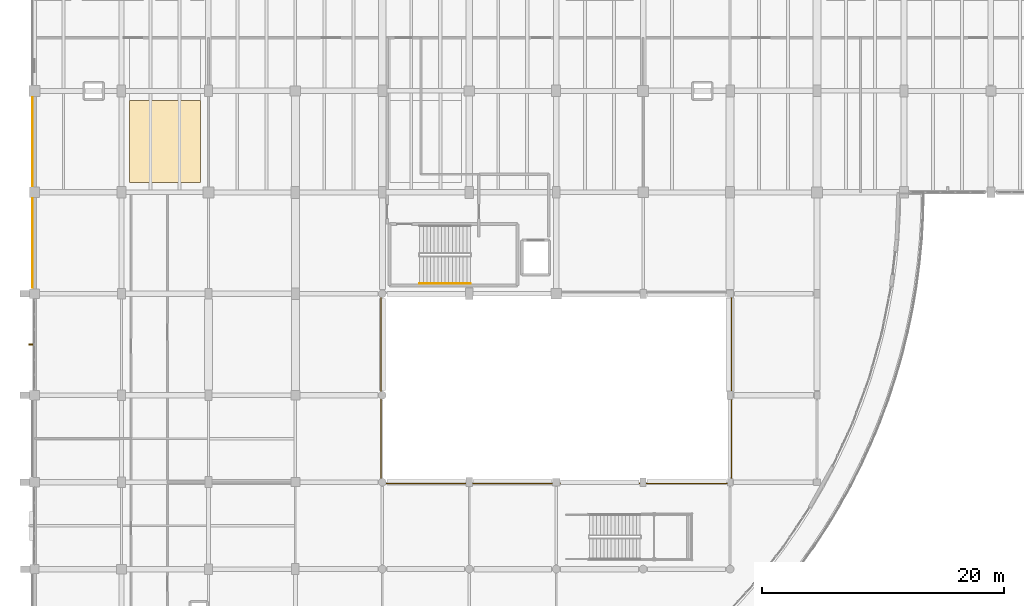
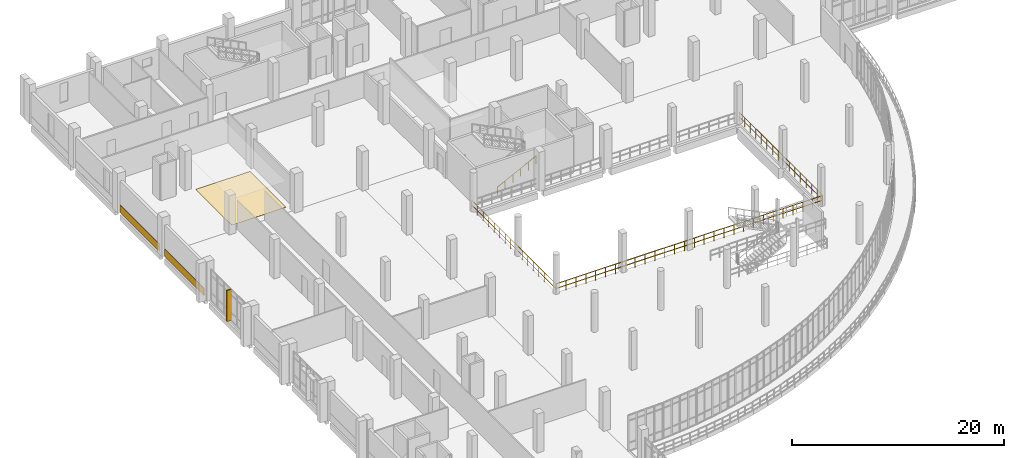
# One storey, part 128 of 134: 4 railings, 3 coverings, 1 shading device.
"""IFC4 building model written with IfcOpenShell, lengths in metres."""

from ifc_helpers import new_model, si_unit, direction, frame, origin, origin_2d, place, context, subcontext, project, spatial, polyline, rectangle, circle, outline, extrude, material, layer, layer_set, type_object, element, save


model = new_model("IFC4")

# Units and contexts
model_context = context("Model", 3, precision=1e-05, world=origin(), true_north=direction((0.0, 1.0)))
body_context = subcontext(model_context, "Body", "Model", "MODEL_VIEW")
ifc_project = project(units=[si_unit("LENGTHUNIT", "METRE"), si_unit("AREAUNIT", "SQUARE_METRE"), si_unit("VOLUMEUNIT", "CUBIC_METRE"), si_unit("PLANEANGLEUNIT", "RADIAN"), si_unit("MASSUNIT", "GRAM", prefix="KILO")], contexts=[model_context])

# Site, building, storey
site_placement = place(None, origin())
site = spatial("IfcSite", under=ifc_project, at=site_placement, CompositionType="ELEMENT")
building_placement = place(site_placement, origin())
building = spatial("IfcBuilding", under=site, at=building_placement, Name="Kalluvel Institute of Natural Sciences", CompositionType="ELEMENT")
storey_placement = place(building_placement, frame((0.0, 0.0, 5.39990234375)))
storey = spatial("IfcBuildingStorey", under=building, at=storey_placement, Name="L01", CompositionType="ELEMENT", Elevation=5.39990234375)

# Coverings
ifc_material_1 = material(Name="Sadarahalli Grey Granite Ashlar Concrete M40", Category="masonry")
ifc_layer_1 = layer(ifc_material_1, 0.044921875)
ifc_layer_set_1 = layer_set([ifc_layer_1], Name="Sadarahalli Grey Granite Ashlar Concrete M40")
covering_type_1 = type_object("IfcCoveringType", Name="COV-CLAD-STONE", PredefinedType="CLADDING", material=ifc_layer_set_1)
covering_1_placement = place(storey_placement, frame((13.820068359375, 106.987548828125, 0.025146484375), z_axis=(0.0, 0.0, 1.0), x_axis=(0.0, 1.0, 0.0)))
element("IfcCovering", 1, at=covering_1_placement, inside=storey, type_object=covering_type_1, Name="L01 Sadarahalli granite plinth spandrel cladding 22", PredefinedType="CLADDING", context=body_context, shape_type="SweptSolid", body=[
    extrude(rectangle(XDim=7.364990234375, YDim=0.044921875, at=origin_2d()), origin(), (0.0, 0.0, 1.0), 0.85009765625),
])
covering_2_placement = place(storey_placement, frame((13.830078125, 98.58740234375, 0.025146484375), z_axis=(0.0, 0.0, 1.0), x_axis=(0.0, 1.0, 0.0)))
element("IfcCovering", 2, at=covering_2_placement, inside=storey, type_object=covering_type_1, Name="L01 Sadarahalli granite plinth spandrel cladding 145", PredefinedType="CLADDING", context=body_context, shape_type="SweptSolid", body=[
    extrude(rectangle(XDim=7.4150390625, YDim=0.044921875, at=origin_2d()), origin(), (0.0, 0.0, 1.0), 0.85009765625),
])
ifc_material_2 = material(Name="Seamless Chemical-Resistant Epoxy Flooring", Category="resin")
ifc_layer_2 = layer(ifc_material_2, 0.014892578125)
ifc_layer_set_2 = layer_set([ifc_layer_2], Name="Seamless Chemical-Resistant Epoxy Flooring")
covering_type_2 = type_object("IfcCoveringType", Name="COV-FLR-EPOXY", PredefinedType="FLOORING", material=ifc_layer_set_2)
covering_3_placement = place(storey_placement, origin())
element("IfcCovering", 3, at=covering_3_placement, inside=storey, type_object=covering_type_2, Name="L01 seamless epoxy laboratory floor finish 3", PredefinedType="FLOORING", context=body_context, shape_type="SweptSolid", body=[
    extrude(outline(polyline([(21.85009765625, 103.60009765625), (27.75, 103.60009765625), (27.75, 110.39990234375), (21.85009765625, 110.39990234375), (21.85009765625, 103.60009765625)])), origin(), (0.0, 0.0, 1.0), 0.01513671875),
])

# Railings
ifc_material_3 = material(Name="Galvanized Fire-Rated Steel", Category="steel")
railing_type_1 = type_object("IfcRailingType", Name="RL-GD-ATRIUM", PredefinedType="BALUSTRADE", material=ifc_material_3)
railing_1_placement = place(storey_placement, frame((42.719970703125, 78.679931640625, 0.0)))
element("IfcRailing", 4, at=railing_1_placement, inside=storey, type_object=railing_type_1, Name="L01 Interaction Atrium void safety balustrade S", PredefinedType="BALUSTRADE", context=body_context, shape_type="SweptSolid", body=[
    extrude(circle(Radius=0.02392578125, at=origin_2d()), frame((0.0, 0.0, 1.09619140625), z_axis=(1.0, 0.0, 0.0), x_axis=(0.0, 1.0, 0.0)), (0.0, 0.0, 1.0), 28.9599609375),
    extrude(circle(Radius=0.02392578125, at=origin_2d()), frame((0.0, 0.0, 0.56005859375), z_axis=(1.0, 0.0, 0.0), x_axis=(0.0, 1.0, 0.0)), (0.0, 0.0, 1.0), 28.9599609375),
    extrude(circle(Radius=0.02099609375, at=origin_2d()), origin(), (0.0, 0.0, 1.0), 1.072021484375),
    extrude(circle(Radius=0.02099609375, at=origin_2d()), frame((1.072509765625, 0.0, 0.0)), (0.0, 0.0, 1.0), 1.072021484375),
    extrude(circle(Radius=0.02099609375, at=origin_2d()), frame((2.145263671875, 0.0, 0.0)), (0.0, 0.0, 1.0), 1.072021484375),
    extrude(circle(Radius=0.02099609375, at=origin_2d()), frame((3.2177734375, 0.0, 0.0)), (0.0, 0.0, 1.0), 1.072021484375),
    extrude(circle(Radius=0.02099609375, at=origin_2d()), frame((4.290283203125, 0.0, 0.0)), (0.0, 0.0, 1.0), 1.072021484375),
    extrude(circle(Radius=0.02099609375, at=origin_2d()), frame((5.363037109375, 0.0, 0.0)), (0.0, 0.0, 1.0), 1.072021484375),
    extrude(circle(Radius=0.02099609375, at=origin_2d()), frame((6.435546875, 0.0, 0.0)), (0.0, 0.0, 1.0), 1.072021484375),
    extrude(circle(Radius=0.02099609375, at=origin_2d()), frame((7.508056640625, 0.0, 0.0)), (0.0, 0.0, 1.0), 1.072021484375),
    extrude(circle(Radius=0.02099609375, at=origin_2d()), frame((8.580810546875, 0.0, 0.0)), (0.0, 0.0, 1.0), 1.072021484375),
    extrude(circle(Radius=0.02099609375, at=origin_2d()), frame((9.6533203125, 0.0, 0.0)), (0.0, 0.0, 1.0), 1.072021484375),
    extrude(circle(Radius=0.02099609375, at=origin_2d()), frame((10.725830078125, 0.0, 0.0)), (0.0, 0.0, 1.0), 1.072021484375),
    extrude(circle(Radius=0.02099609375, at=origin_2d()), frame((11.798583984375, 0.0, 0.0)), (0.0, 0.0, 1.0), 1.072021484375),
    extrude(circle(Radius=0.02099609375, at=origin_2d()), frame((12.87109375, 0.0, 0.0)), (0.0, 0.0, 1.0), 1.072021484375),
    extrude(circle(Radius=0.02099609375, at=origin_2d()), frame((13.943603515625, 0.0, 0.0)), (0.0, 0.0, 1.0), 1.072021484375),
    extrude(circle(Radius=0.02099609375, at=origin_2d()), frame((15.016357421875, 0.0, 0.0)), (0.0, 0.0, 1.0), 1.072021484375),
    extrude(circle(Radius=0.02099609375, at=origin_2d()), frame((16.0888671875, 0.0, 0.0)), (0.0, 0.0, 1.0), 1.072021484375),
    extrude(circle(Radius=0.02099609375, at=origin_2d()), frame((17.161376953125, 0.0, 0.0)), (0.0, 0.0, 1.0), 1.072021484375),
    extrude(circle(Radius=0.02099609375, at=origin_2d()), frame((18.234130859375, 0.0, 0.0)), (0.0, 0.0, 1.0), 1.072021484375),
    extrude(circle(Radius=0.02099609375, at=origin_2d()), frame((19.306640625, 0.0, 0.0)), (0.0, 0.0, 1.0), 1.072021484375),
    extrude(circle(Radius=0.02099609375, at=origin_2d()), frame((20.379150390625, 0.0, 0.0)), (0.0, 0.0, 1.0), 1.072021484375),
    extrude(circle(Radius=0.02099609375, at=origin_2d()), frame((21.451904296875, 0.0, 0.0)), (0.0, 0.0, 1.0), 1.072021484375),
    extrude(circle(Radius=0.02099609375, at=origin_2d()), frame((22.5244140625, 0.0, 0.0)), (0.0, 0.0, 1.0), 1.072021484375),
    extrude(circle(Radius=0.02099609375, at=origin_2d()), frame((23.596923828125, 0.0, 0.0)), (0.0, 0.0, 1.0), 1.072021484375),
    extrude(circle(Radius=0.02099609375, at=origin_2d()), frame((24.669677734375, 0.0, 0.0)), (0.0, 0.0, 1.0), 1.072021484375),
    extrude(circle(Radius=0.02099609375, at=origin_2d()), frame((25.7421875, 0.0, 0.0)), (0.0, 0.0, 1.0), 1.072021484375),
    extrude(circle(Radius=0.02099609375, at=origin_2d()), frame((26.814697265625, 0.0, 0.0)), (0.0, 0.0, 1.0), 1.072021484375),
    extrude(circle(Radius=0.02099609375, at=origin_2d()), frame((27.887451171875, 0.0, 0.0)), (0.0, 0.0, 1.0), 1.072021484375),
    extrude(circle(Radius=0.02099609375, at=origin_2d()), frame((28.9599609375, 0.0, 0.0)), (0.0, 0.0, 1.0), 1.072021484375),
])
railing_2_placement = place(storey_placement, frame((71.719970703125, 78.719970703125, 0.0)))
element("IfcRailing", 5, at=railing_2_placement, inside=storey, type_object=railing_type_1, Name="L01 Interaction Atrium void safety balustrade E", PredefinedType="BALUSTRADE", context=body_context, shape_type="SweptSolid", body=[
    extrude(circle(Radius=0.02392578125, at=origin_2d()), frame((0.0, 0.0, 1.09619140625), z_axis=(0.0, 1.0, 0.0), x_axis=(-1.0, 0.0, 0.0)), (0.0, 0.0, 1.0), 15.760009765625),
    extrude(circle(Radius=0.02392578125, at=origin_2d()), frame((0.0, 0.0, 0.56005859375), z_axis=(0.0, 1.0, 0.0), x_axis=(-1.0, 0.0, 0.0)), (0.0, 0.0, 1.0), 15.760009765625),
    extrude(circle(Radius=0.02099609375, at=origin_2d()), origin(), (0.0, 0.0, 1.0), 1.072021484375),
    extrude(circle(Radius=0.02099609375, at=origin_2d()), frame((0.0, 1.05078125, 0.0)), (0.0, 0.0, 1.0), 1.072021484375),
    extrude(circle(Radius=0.02099609375, at=origin_2d()), frame((0.0, 2.101318359375, 0.0)), (0.0, 0.0, 1.0), 1.072021484375),
    extrude(circle(Radius=0.02099609375, at=origin_2d()), frame((0.0, 3.152099609375, 0.0)), (0.0, 0.0, 1.0), 1.072021484375),
    extrude(circle(Radius=0.02099609375, at=origin_2d()), frame((0.0, 4.20263671875, 0.0)), (0.0, 0.0, 1.0), 1.072021484375),
    extrude(circle(Radius=0.02099609375, at=origin_2d()), frame((0.0, 5.25341796875, 0.0)), (0.0, 0.0, 1.0), 1.072021484375),
    extrude(circle(Radius=0.02099609375, at=origin_2d()), frame((0.0, 6.303955078125, 0.0)), (0.0, 0.0, 1.0), 1.072021484375),
    extrude(circle(Radius=0.02099609375, at=origin_2d()), frame((0.0, 7.354736328125, 0.0)), (0.0, 0.0, 1.0), 1.072021484375),
    extrude(circle(Radius=0.02099609375, at=origin_2d()), frame((0.0, 8.4052734375, 0.0)), (0.0, 0.0, 1.0), 1.072021484375),
    extrude(circle(Radius=0.02099609375, at=origin_2d()), frame((0.0, 9.4560546875, 0.0)), (0.0, 0.0, 1.0), 1.072021484375),
    extrude(circle(Radius=0.02099609375, at=origin_2d()), frame((0.0, 10.506591796875, 0.0)), (0.0, 0.0, 1.0), 1.072021484375),
    extrude(circle(Radius=0.02099609375, at=origin_2d()), frame((0.0, 11.557373046875, 0.0)), (0.0, 0.0, 1.0), 1.072021484375),
    extrude(circle(Radius=0.02099609375, at=origin_2d()), frame((0.0, 12.60791015625, 0.0)), (0.0, 0.0, 1.0), 1.072021484375),
    extrude(circle(Radius=0.02099609375, at=origin_2d()), frame((0.0, 13.65869140625, 0.0)), (0.0, 0.0, 1.0), 1.072021484375),
    extrude(circle(Radius=0.02099609375, at=origin_2d()), frame((0.0, 14.709228515625, 0.0)), (0.0, 0.0, 1.0), 1.072021484375),
    extrude(circle(Radius=0.02099609375, at=origin_2d()), frame((0.0, 15.760009765625, 0.0)), (0.0, 0.0, 1.0), 1.072021484375),
])
railing_3_placement = place(storey_placement, frame((42.679931640625, 94.47998046875, 0.0)))
element("IfcRailing", 6, at=railing_3_placement, inside=storey, type_object=railing_type_1, Name="L01 Interaction Atrium void safety balustrade W", PredefinedType="BALUSTRADE", context=body_context, shape_type="SweptSolid", body=[
    extrude(circle(Radius=0.02392578125, at=origin_2d()), frame((0.0, 0.0, 1.09619140625), z_axis=(0.0, -1.0, 0.0), x_axis=(1.0, 0.0, 0.0)), (0.0, 0.0, 1.0), 15.760009765625),
    extrude(circle(Radius=0.02392578125, at=origin_2d()), frame((0.0, 0.0, 0.56005859375), z_axis=(0.0, -1.0, 0.0), x_axis=(1.0, 0.0, 0.0)), (0.0, 0.0, 1.0), 15.760009765625),
    extrude(circle(Radius=0.02099609375, at=origin_2d()), origin(), (0.0, 0.0, 1.0), 1.072021484375),
    extrude(circle(Radius=0.02099609375, at=origin_2d()), frame((0.0, -1.05078125, 0.0)), (0.0, 0.0, 1.0), 1.072021484375),
    extrude(circle(Radius=0.02099609375, at=origin_2d()), frame((0.0, -2.101318359375, 0.0)), (0.0, 0.0, 1.0), 1.072021484375),
    extrude(circle(Radius=0.02099609375, at=origin_2d()), frame((0.0, -3.152099609375, 0.0)), (0.0, 0.0, 1.0), 1.072021484375),
    extrude(circle(Radius=0.02099609375, at=origin_2d()), frame((0.0, -4.20263671875, 0.0)), (0.0, 0.0, 1.0), 1.072021484375),
    extrude(circle(Radius=0.02099609375, at=origin_2d()), frame((0.0, -5.25341796875, 0.0)), (0.0, 0.0, 1.0), 1.072021484375),
    extrude(circle(Radius=0.02099609375, at=origin_2d()), frame((0.0, -6.303955078125, 0.0)), (0.0, 0.0, 1.0), 1.072021484375),
    extrude(circle(Radius=0.02099609375, at=origin_2d()), frame((0.0, -7.354736328125, 0.0)), (0.0, 0.0, 1.0), 1.072021484375),
    extrude(circle(Radius=0.02099609375, at=origin_2d()), frame((0.0, -8.4052734375, 0.0)), (0.0, 0.0, 1.0), 1.072021484375),
    extrude(circle(Radius=0.02099609375, at=origin_2d()), frame((0.0, -9.4560546875, 0.0)), (0.0, 0.0, 1.0), 1.072021484375),
    extrude(circle(Radius=0.02099609375, at=origin_2d()), frame((0.0, -10.506591796875, 0.0)), (0.0, 0.0, 1.0), 1.072021484375),
    extrude(circle(Radius=0.02099609375, at=origin_2d()), frame((0.0, -11.557373046875, 0.0)), (0.0, 0.0, 1.0), 1.072021484375),
    extrude(circle(Radius=0.02099609375, at=origin_2d()), frame((0.0, -12.60791015625, 0.0)), (0.0, 0.0, 1.0), 1.072021484375),
    extrude(circle(Radius=0.02099609375, at=origin_2d()), frame((0.0, -13.65869140625, 0.0)), (0.0, 0.0, 1.0), 1.072021484375),
    extrude(circle(Radius=0.02099609375, at=origin_2d()), frame((0.0, -14.709228515625, 0.0)), (0.0, 0.0, 1.0), 1.072021484375),
    extrude(circle(Radius=0.02099609375, at=origin_2d()), frame((0.0, -15.760009765625, 0.0)), (0.0, 0.0, 1.0), 1.072021484375),
])
railing_type_2 = type_object("IfcRailingType", Name="RL-HR-STAIR", PredefinedType="HANDRAIL", material=ifc_material_3)
railing_4_placement = place(storey_placement, frame((45.89990234375, 95.25, 0.150146484375)))
element("IfcRailing", 7, at=railing_4_placement, inside=storey, type_object=railing_type_2, Name="L01 ST3 stair handrail 1", PredefinedType="HANDRAIL", context=body_context, shape_type="SweptSolid", body=[
    extrude(circle(Radius=0.02392578125, at=origin_2d()), frame((0.0, 0.0, 0.89599609375), z_axis=(0.894447986312, 0.0, 0.447172002457), x_axis=(0.0, 1.0, 0.0)), (0.0, 0.0, 1.0), 4.69580078125),
    extrude(circle(Radius=0.02099609375, at=origin_2d()), origin(), (0.0, 0.0, 1.0), 0.871826171875),
    extrude(circle(Radius=0.02099609375, at=origin_2d()), frame((0.840087890625, 0.0, 0.419921875)), (0.0, 0.0, 1.0), 0.871826171875),
    extrude(circle(Radius=0.02099609375, at=origin_2d()), frame((1.68017578125, 0.0, 0.83984375)), (0.0, 0.0, 1.0), 0.871826171875),
    extrude(circle(Radius=0.02099609375, at=origin_2d()), frame((2.52001953125, 0.0, 1.260009765625)), (0.0, 0.0, 1.0), 0.871826171875),
    extrude(circle(Radius=0.02099609375, at=origin_2d()), frame((3.360107421875, 0.0, 1.679931640625)), (0.0, 0.0, 1.0), 0.871826171875),
    extrude(circle(Radius=0.02099609375, at=origin_2d()), frame((4.2001953125, 0.0, 2.099853515625)), (0.0, 0.0, 1.0), 0.871826171875),
])

# Shading device
shading_device_type = type_object("IfcShadingDeviceType", Name="SHD-FIN-STONE", PredefinedType="USERDEFINED", material=ifc_material_1)
shading_device_placement = place(storey_placement, frame((13.780029296875, 90.199951171875, 0.0), z_axis=(0.0, 0.0, 1.0), x_axis=(0.0, 1.0, 0.0)))
element("IfcShadingDevice", 8, at=shading_device_placement, inside=storey, type_object=shading_device_type, Name="L01 monsoon lancet shading fin 131", ObjectType="MONSOON FIN", PredefinedType="USERDEFINED", context=body_context, shape_type="SweptSolid", body=[
    extrude(rectangle(XDim=0.139892578125, YDim=0.47998046875, at=origin_2d()), origin(), (0.0, 0.0, 1.0), 3.570068359375),
])

save(model, "model.ifc")
